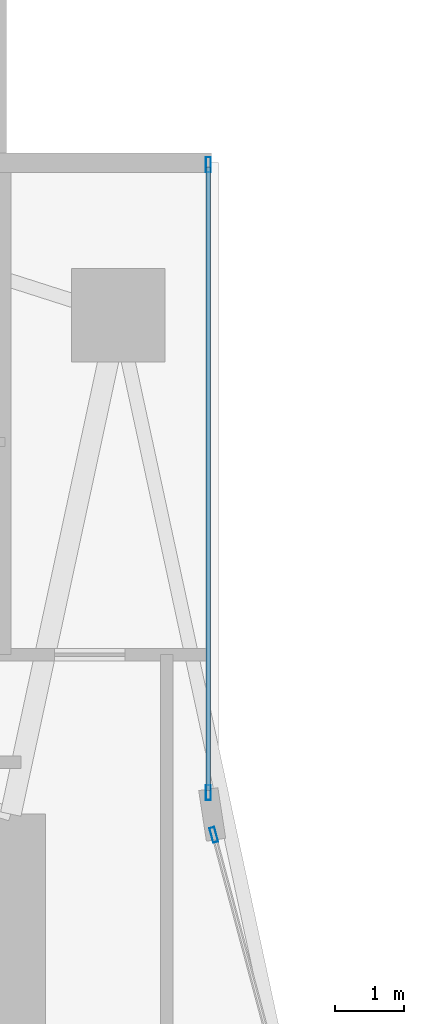
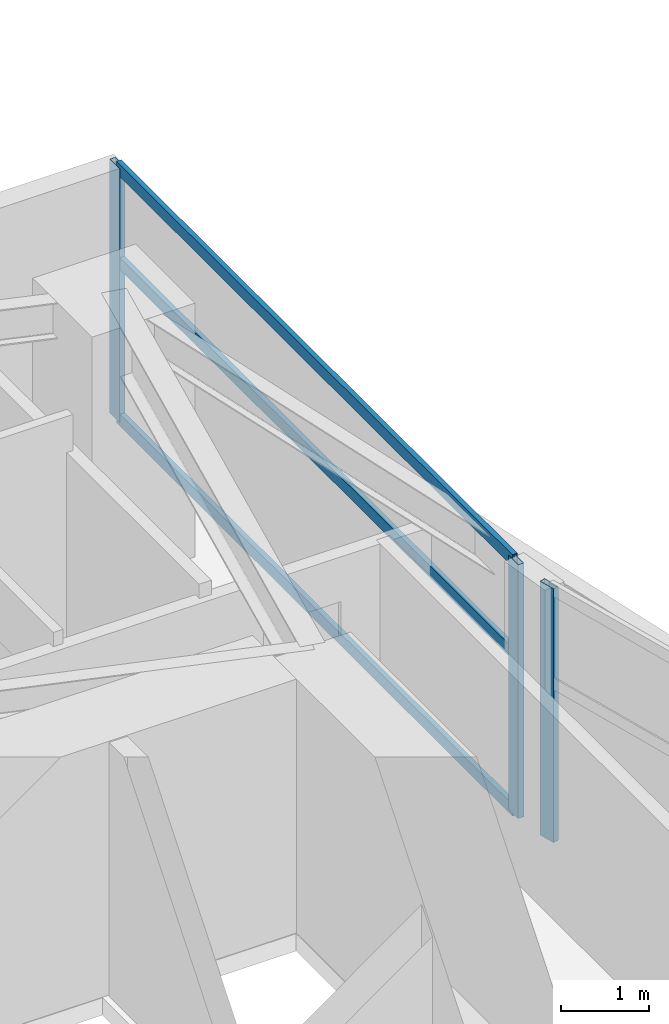
# One storey, part 17 of 28: 6 members, 2 elements without a shape of their own.
"""IFC4 building model written with IfcOpenShell, lengths in metres."""

import ifcopenshell
import ifcopenshell.guid

model = None  # the IFC model being written
_history = None  # IfcOwnerHistory: only IFC2X3 demands one
_inside = {}  # id of a spatial element -> (the spatial element, [elements in it])
_under = {}  # id of a project, library or spatial element -> (it, [spatial elements below it])
_declared = {}  # id of a project -> (the project, [libraries it declares])
_typed = {}  # id of a type object -> (the type object, [elements of that type])
_made_of = {}  # id of a material, layer set ... -> (it, [elements and type objects made of it])


def new_model(schema):
    """Start an empty IFC model of exactly this schema.

    Asked for "IFC4X3", IfcOpenShell would pick the latest addendum, in which some entities
    have other attributes; the version numbers below select the first issue.
    IFC2X3 requires an IfcOwnerHistory on every rooted entity: one is made here for all.
    """
    global model, _history
    if schema == "IFC4X3":
        model = ifcopenshell.file(schema_version=(4, 3, 0, 0))
    else:
        model = ifcopenshell.file(schema=schema)
    _inside.clear()
    _under.clear()
    _declared.clear()
    _typed.clear()
    _made_of.clear()
    _history = None
    if model.schema == "IFC2X3":
        org = make("IfcOrganization", Name="unknown")
        user = make(
            "IfcPersonAndOrganization",
            ThePerson=make("IfcPerson", FamilyName="unknown"),
            TheOrganization=org,
        )
        app = make(
            "IfcApplication",
            ApplicationDeveloper=org,
            Version="unknown",
            ApplicationFullName="unknown",
            ApplicationIdentifier="unknown",
        )
        _history = make(
            "IfcOwnerHistory",
            OwningUser=user,
            OwningApplication=app,
            ChangeAction="ADDED",
            CreationDate=0,
        )
    return model


def make(cls, **values):
    """One entity of the class cls with the attributes given. An attribute that is None is left unset."""
    return model.create_entity(
        cls, **{name: value for name, value in values.items() if value is not None}
    )


def rooted(cls, **values):
    """An entity with a GlobalId (a new one), such as an element, a storey or a relation."""
    return make(cls, GlobalId=ifcopenshell.guid.new(), OwnerHistory=_history, **values)


def si_unit(unit_type, name, prefix=None):
    """IfcSIUnit, for example si_unit("LENGTHUNIT", "METRE", prefix="MILLI")."""
    return make("IfcSIUnit", UnitType=unit_type, Prefix=prefix, Name=name)


def assignment(units):
    """IfcUnitAssignment: the units of a project."""
    return None if units is None else make("IfcUnitAssignment", Units=units)


def point(xyz):
    """IfcCartesianPoint."""
    return None if xyz is None else make("IfcCartesianPoint", Coordinates=xyz)


def direction(xyz):
    """IfcDirection."""
    return None if xyz is None else make("IfcDirection", DirectionRatios=xyz)


def frame(location, z_axis=None, x_axis=None):
    """IfcAxis2Placement3D, a coordinate frame: its origin and axes. An axis left out is left unset."""
    return make(
        "IfcAxis2Placement3D",
        Location=point(location),
        Axis=direction(z_axis),
        RefDirection=direction(x_axis),
    )


def frame_2d(location, x_axis=None):
    """IfcAxis2Placement2D, a coordinate frame in the plane: its origin and x axis."""
    return make(
        "IfcAxis2Placement2D", Location=point(location), RefDirection=direction(x_axis)
    )


def origin():
    """The frame at (0, 0, 0) with its axes left unset."""
    return frame((0.0, 0.0, 0.0))


def origin_2d():
    """The frame at (0, 0) in the plane with its x axis left unset."""
    return frame_2d((0.0, 0.0))


def place(relative_to, where):
    """IfcLocalPlacement: puts the frame where relative to a parent placement (None: the world)."""
    return make(
        "IfcLocalPlacement", PlacementRelTo=relative_to, RelativePlacement=where
    )


def context(
    kind, dimensions, precision=None, world=None, true_north=None, identifier=None
):
    """IfcGeometricRepresentationContext, for example the 3D "Model" context."""
    return make(
        "IfcGeometricRepresentationContext",
        ContextIdentifier=identifier,
        ContextType=kind,
        CoordinateSpaceDimension=dimensions,
        Precision=precision,
        WorldCoordinateSystem=world,
        TrueNorth=true_north,
    )


def subcontext(parent, identifier, kind, view, scale=None):
    """IfcGeometricRepresentationSubContext, for example "Body" below "Model"."""
    return make(
        "IfcGeometricRepresentationSubContext",
        ContextIdentifier=identifier,
        ContextType=kind,
        ParentContext=parent,
        TargetScale=scale,
        TargetView=view,
    )


def project(units=None, contexts=None):
    """IfcProject with its units and contexts."""
    return rooted(
        "IfcProject",
        Name="project",
        RepresentationContexts=contexts,
        UnitsInContext=assignment(units),
    )


def spatial(cls, under=None, at=None, **own):
    """A site, building, storey or space (cls), placed at a placement, below another one or the project."""
    s = rooted(cls, ObjectPlacement=at, **own)
    if under is not None:
        _under.setdefault(under.id(), (under, []))[1].append(s)
    return s


def profile(cls, at=None, kind="AREA", **sizes):
    """A parametric profile (cls). Its sizes go by their IFC names, for example OverallWidth=200.0."""
    return make(cls, ProfileType=kind, Position=at, **sizes)


def hollow_rectangle(**sizes):
    """IfcRectangleHollowProfileDef."""
    return profile("IfcRectangleHollowProfileDef", **sizes)


def extrude(swept, where, along, depth):
    """IfcExtrudedAreaSolid: the profile swept, set in the frame where, extruded along a direction by depth."""
    return make(
        "IfcExtrudedAreaSolid",
        SweptArea=swept,
        Position=where,
        ExtrudedDirection=direction(along),
        Depth=depth,
    )


def shape(context_of_items, identifier, shape_type, items):
    """IfcShapeRepresentation: the items that make up one representation, for example the "Body"."""
    return make(
        "IfcShapeRepresentation",
        ContextOfItems=context_of_items,
        RepresentationIdentifier=identifier,
        RepresentationType=shape_type,
        Items=items,
    )


def material(Name=None, Category=None):
    """IfcMaterial."""
    return make("IfcMaterial", Name=Name, Category=Category)


def layer(
    of_material, thickness, ventilated=None, Name=None, Category=None, Priority=None
):
    """IfcMaterialLayer: one layer of a wall or slab, of a material (None: an air gap)."""
    return make(
        "IfcMaterialLayer",
        Material=of_material,
        LayerThickness=thickness,
        IsVentilated=ventilated,
        Name=Name,
        Category=Category,
        Priority=Priority,
    )


def layer_set(layers, Name=None):
    """IfcMaterialLayerSet."""
    return make("IfcMaterialLayerSet", MaterialLayers=layers, LayerSetName=Name)


def material_profile(
    of_material, cross_section, Name=None, Category=None, Priority=None
):
    """IfcMaterialProfile: a cross section and its material."""
    return make(
        "IfcMaterialProfile",
        Name=Name,
        Material=of_material,
        Profile=cross_section,
        Priority=Priority,
        Category=Category,
    )


def profile_set(profiles, Name=None, composite=None):
    """IfcMaterialProfileSet."""
    return make(
        "IfcMaterialProfileSet",
        Name=Name,
        MaterialProfiles=profiles,
        CompositeProfile=composite,
    )


def made_of(thing, what):
    """Note that an element or type object is made of a material, layer set ...; save() writes the relation."""
    if what is not None:
        _made_of.setdefault(what.id(), (what, []))[1].append(thing)
    return thing


def type_object(cls, material=None, **own):
    """A type object (cls), such as IfcWallType, which elements share."""
    return made_of(rooted(cls, **own), material)


def element(
    cls,
    number,
    at=None,
    inside=None,
    cuts=None,
    type_object=None,
    material=None,
    context=None,
    identifier="Body",
    shape_type=None,
    held_by="IfcProductDefinitionShape",
    body=None,
    shapes=None,
    **own,
):
    """One element of the class cls, such as IfcWall. Its Tag is "e" and its number.

    at: its placement. inside: the storey or other place that contains it. cuts: it is an
    opening in that element (IfcRelVoidsElement). A single representation is given by context,
    identifier, shape_type and body (its items); several are given by shapes. held_by: the class
    of the entity that holds the representations. save() writes the other relations.
    """
    e = rooted(cls, Tag="e%d" % number, ObjectPlacement=at, **own)
    if body is not None:
        shapes = [shape(context, identifier, shape_type, body)]
    if shapes is not None:
        e.Representation = make(held_by, Representations=shapes)
    if inside is not None:
        _inside.setdefault(inside.id(), (inside, []))[1].append(e)
    if cuts is not None:
        rooted(
            "IfcRelVoidsElement", RelatingBuildingElement=cuts, RelatedOpeningElement=e
        )
    if type_object is not None:
        _typed.setdefault(type_object.id(), (type_object, []))[1].append(e)
    return made_of(e, material)


def aggregate(whole, parts):
    """IfcRelAggregates: a whole, such as a stair, and the parts it consists of."""
    return rooted("IfcRelAggregates", RelatingObject=whole, RelatedObjects=parts)


def save(model, path):
    """Write the relations noted so far, then the file.

    IfcRelAggregates (storeys below a building ...), IfcRelContainedInSpatialStructure (elements
    in a storey), IfcRelDefinesByType, IfcRelAssociatesMaterial and IfcRelDeclares: one each for
    every whole, place, type object, material and project.
    """
    for whole, parts in _under.values():
        aggregate(whole, parts)
    for where, things in _inside.values():
        rooted(
            "IfcRelContainedInSpatialStructure",
            RelatedElements=things,
            RelatingStructure=where,
        )
    for kind, things in _typed.values():
        rooted("IfcRelDefinesByType", RelatedObjects=things, RelatingType=kind)
    for what, things in _made_of.values():
        rooted("IfcRelAssociatesMaterial", RelatedObjects=things, RelatingMaterial=what)
    for by, libraries in _declared.values():
        rooted("IfcRelDeclares", RelatingContext=by, RelatedDefinitions=libraries)
    model.write(path)


model = new_model("IFC4")

# Units and contexts
model_context = context("Model", 3, precision=1e-05, world=origin(), true_north=direction((0.0, 1.0)))
body_context = subcontext(model_context, "Body", "Model", "MODEL_VIEW")
ifc_project = project(units=[si_unit("LENGTHUNIT", "METRE"), si_unit("AREAUNIT", "SQUARE_METRE"), si_unit("VOLUMEUNIT", "CUBIC_METRE"), si_unit("PLANEANGLEUNIT", "RADIAN"), si_unit("MASSUNIT", "GRAM", prefix="KILO")], contexts=[model_context])

# Site, building, storey
site_placement = place(None, origin())
site = spatial("IfcSite", under=ifc_project, at=site_placement, CompositionType="ELEMENT")
building_placement = place(site_placement, origin())
building = spatial("IfcBuilding", under=site, at=building_placement, Name="Calvorn Quay Hotel", CompositionType="ELEMENT")
storey_placement = place(building_placement, frame((0.0, 0.0, 42.199951171875)))
storey = spatial("IfcBuildingStorey", under=building, at=storey_placement, Name="L09", CompositionType="ELEMENT", Elevation=42.199951171875)

# Curtain wall, member
ifc_material_1 = material(Name="Pale Anodised Aluminium and Low-E Glass", Category="aluminium")
ifc_layer = layer(ifc_material_1, 0.219970703125)
ifc_layer_set = layer_set([ifc_layer], Name="CW-SYS-Z1")
curtain_wall_type = type_object("IfcCurtainWallType", Name="CW-SYS-Z1", PredefinedType="NOTDEFINED", material=ifc_layer_set)
curtain_wall_1_placement = place(storey_placement, origin())
curtain_wall_1 = element("IfcCurtainWall", 1, at=curtain_wall_1_placement, inside=storey, type_object=curtain_wall_type, Name="Inner Court Curtain Wall L09-IC1", PredefinedType="NOTDEFINED")
ifc_material_2 = material(Name="Pale Anodised Aluminium 6063-T6", Category="aluminium")
ifc_material_profile_1 = material_profile(ifc_material_2, hollow_rectangle(XDim=0.074951171875, YDim=0.219970703125, WallThickness=0.00439453125, at=origin_2d()), Name="ALU-M220x75x4.5")
ifc_profile_set_1 = profile_set([ifc_material_profile_1], Name="Pale Anodised Aluminium 6063-T6")
member_type_1 = type_object("IfcMemberType", Name="CW-SYS-Z1-MUL", PredefinedType="MULLION", material=ifc_profile_set_1)
member_1_placement = place(storey_placement, frame((17.9296875, 38.10107421875, 0.0), z_axis=(0.0, 0.0, 1.0), x_axis=(-0.96593652056, -0.25877913024, 0.0)))
member_1 = element("IfcMember", 2, at=member_1_placement, type_object=member_type_1, Name="CW-L09-IC1 mullion 2", PredefinedType="MULLION", context=body_context, shape_type="SweptSolid", body=[
    extrude(hollow_rectangle(XDim=0.074951171875, YDim=0.219970703125, WallThickness=0.00439453125, at=origin_2d()), origin(), (0.0, 0.0, 1.0), 3.52001953125),
])
aggregate(curtain_wall_1, [member_1])

# Curtain wall, members
curtain_wall_2_placement = place(storey_placement, origin())
curtain_wall_2 = element("IfcCurtainWall", 3, at=curtain_wall_2_placement, inside=storey, type_object=curtain_wall_type, Name="Inner Court Curtain Wall L09-IC2", PredefinedType="NOTDEFINED")
member_2_placement = place(storey_placement, frame((17.85009765625, 38.7099609375, 0.0), z_axis=(0.0, 0.0, 1.0), x_axis=(-1.0, 0.0, 0.0)))
member_2 = element("IfcMember", 4, at=member_2_placement, type_object=member_type_1, Name="CW-L09-IC2 mullion 1", PredefinedType="MULLION", context=body_context, shape_type="SweptSolid", body=[
    extrude(hollow_rectangle(XDim=0.074951171875, YDim=0.219970703125, WallThickness=0.00439453125, at=origin_2d()), origin(), (0.0, 0.0, 1.0), 3.52001953125),
])
member_3_placement = place(storey_placement, frame((17.85009765625, 47.77001953125, 0.0), z_axis=(0.0, 0.0, 1.0), x_axis=(-1.0, 0.0, 0.0)))
member_3 = element("IfcMember", 5, at=member_3_placement, type_object=member_type_1, Name="CW-L09-IC2 mullion 2", PredefinedType="MULLION", context=body_context, shape_type="SweptSolid", body=[
    extrude(hollow_rectangle(XDim=0.074951171875, YDim=0.219970703125, WallThickness=0.00439453125, at=origin_2d()), origin(), (0.0, 0.0, 1.0), 3.52001953125),
])
ifc_material_3 = material(Name="Pale Anodised Aluminium 6063-T6", Category="aluminium")
ifc_material_profile_2 = material_profile(ifc_material_3, hollow_rectangle(XDim=0.06494140625, YDim=0.1650390625, WallThickness=0.00341796875, at=origin_2d()), Name="ALU-T165x65x3.5")
ifc_profile_set_2 = profile_set([ifc_material_profile_2], Name="Pale Anodised Aluminium 6063-T6")
member_type_2 = type_object("IfcMemberType", Name="CW-SYS-Z1-TRN", PredefinedType="USERDEFINED", material=ifc_profile_set_2)
member_4_placement = place(storey_placement, frame((17.85009765625, 38.739990234375, 0.030029296875), z_axis=(0.0, 1.0, 0.0), x_axis=(-1.0, 0.0, 0.0)))
member_4 = element("IfcMember", 6, at=member_4_placement, type_object=member_type_2, Name="CW-L09-IC2 transom 1.1", ObjectType="TRANSOM", PredefinedType="USERDEFINED", context=body_context, shape_type="SweptSolid", body=[
    extrude(hollow_rectangle(XDim=0.06494140625, YDim=0.1650390625, WallThickness=0.00341796875, at=origin_2d()), origin(), (0.0, 0.0, 1.0), 9.0),
])
member_5_placement = place(storey_placement, frame((17.85009765625, 38.739990234375, 2.199951171875), z_axis=(0.0, 1.0, 0.0), x_axis=(-1.0, 0.0, 0.0)))
member_5 = element("IfcMember", 7, at=member_5_placement, type_object=member_type_2, Name="CW-L09-IC2 transom 1.2", ObjectType="TRANSOM", PredefinedType="USERDEFINED", context=body_context, shape_type="SweptSolid", body=[
    extrude(hollow_rectangle(XDim=0.06494140625, YDim=0.1650390625, WallThickness=0.00341796875, at=origin_2d()), origin(), (0.0, 0.0, 1.0), 9.0),
])
member_6_placement = place(storey_placement, frame((17.85009765625, 38.739990234375, 3.489990234375), z_axis=(0.0, 1.0, 0.0), x_axis=(-1.0, 0.0, 0.0)))
member_6 = element("IfcMember", 8, at=member_6_placement, type_object=member_type_2, Name="CW-L09-IC2 transom 1.3", ObjectType="TRANSOM", PredefinedType="USERDEFINED", context=body_context, shape_type="SweptSolid", body=[
    extrude(hollow_rectangle(XDim=0.06494140625, YDim=0.1650390625, WallThickness=0.00341796875, at=origin_2d()), origin(), (0.0, 0.0, 1.0), 9.0),
])
aggregate(curtain_wall_2, [member_2, member_3, member_4, member_5, member_6])

save(model, "model.ifc")
